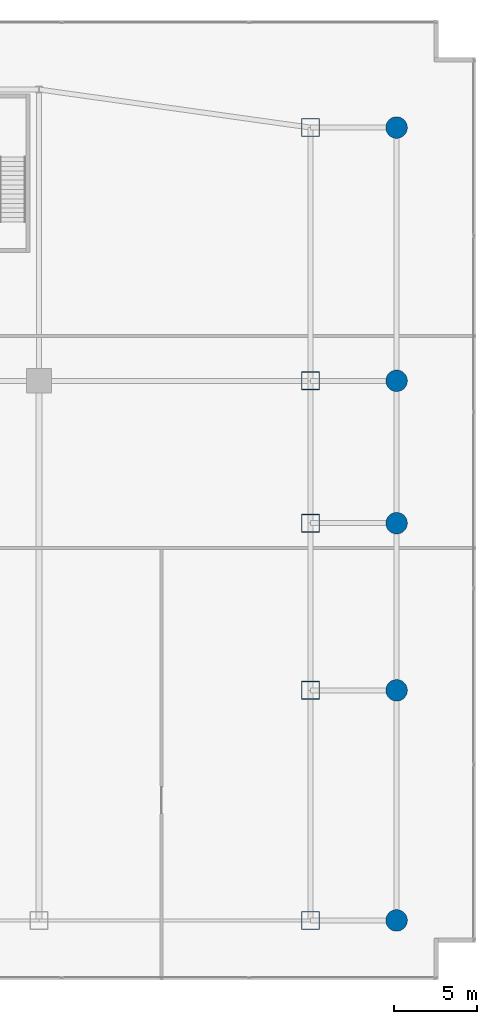
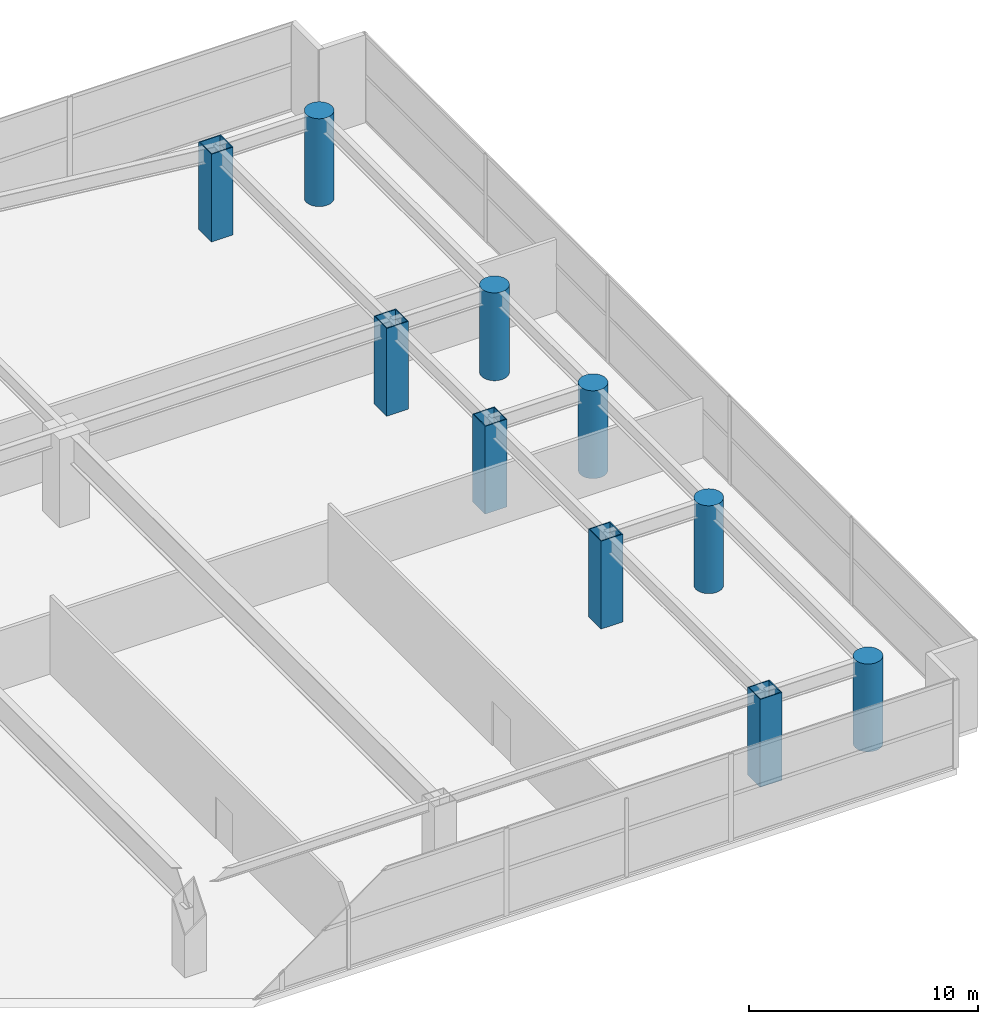
# One storey, part 3 of 35: 10 columns.
"""IFC4 building model written with IfcOpenShell, lengths in metres."""

from ifc_helpers import new_model, si_unit, direction, frame, origin, origin_2d, place, context, subcontext, project, spatial, hollow_rectangle, circle, extrude, material, material_profile, profile_set, type_object, element, save


model = new_model("IFC4")

# Units and contexts
model_context = context("Model", 3, precision=1e-05, world=origin(), true_north=direction((0.0, 1.0)))
body_context = subcontext(model_context, "Body", "Model", "MODEL_VIEW")
ifc_project = project(units=[si_unit("LENGTHUNIT", "METRE"), si_unit("AREAUNIT", "SQUARE_METRE"), si_unit("VOLUMEUNIT", "CUBIC_METRE"), si_unit("PLANEANGLEUNIT", "RADIAN"), si_unit("MASSUNIT", "GRAM", prefix="KILO")], contexts=[model_context])

# Site, building, storey
site_placement = place(None, origin())
site = spatial("IfcSite", under=ifc_project, at=site_placement, CompositionType="ELEMENT")
building_placement = place(site_placement, origin())
building = spatial("IfcBuilding", under=site, at=building_placement, Name="Calvorn Quay Hotel", CompositionType="ELEMENT")
storey_placement = place(building_placement, frame((0.0, 0.0, 12.0)))
storey = spatial("IfcBuildingStorey", under=building, at=storey_placement, Name="L02", CompositionType="ELEMENT", Elevation=12.0)

# Columns
ifc_material_1 = material(Name="Concrete C60", Category="concrete")
ifc_material_profile_1 = material_profile(ifc_material_1, circle(Radius=0.64990234375, at=origin_2d()), Name="RCD1300")
ifc_profile_set_1 = profile_set([ifc_material_profile_1], Name="Concrete C60")
column_type_1 = type_object("IfcColumnType", Name="COL-RC-D1300", PredefinedType="COLUMN", material=ifc_profile_set_1)
for number, where, z_axis, x_axis, name in (
    (1, (79.199951171875, 3.60009765625, 0.0), (0.0, 0.0, 1.0), (1.0, 0.0, 0.0), "Column C-PQ1 (L02)"),
    (2, (79.199951171875, 17.5, 0.0), (0.0, 0.0, 1.0), (1.0, 0.0, 0.0), "Column C-PQ2 (L02)"),
    (3, (79.199951171875, 27.60009765625, 0.0), (0.0, 0.0, 1.0), (1.0, 0.0, 0.0), "Column C-PQ3 (L02)"),
    (4, (79.199951171875, 36.199951171875, 0.0), (0.0, 0.0, 1.0), (1.0, 0.0, 0.0), "Column C-PQ4 (L02)"),
    (5, (79.199951171875, 51.5, 0.0), (0.0, 0.0, 1.0), (1.0, 0.0, 0.0), "Column C-PQ5 (L02)"),
):
    element("IfcColumn", number, at=place(storey_placement, frame(where, z_axis=z_axis, x_axis=x_axis)), inside=storey, type_object=column_type_1, Name=name, PredefinedType="COLUMN", context=body_context, shape_type="SweptSolid", body=[
        extrude(circle(Radius=0.64990234375, at=origin_2d()), origin(), (0.0, 0.0, 1.0), 4.679931640625),
    ])
ifc_material_2 = material(Name="Steel Q420GJC", Category="steel")
ifc_material_profile_2 = material_profile(ifc_material_2, hollow_rectangle(XDim=1.10009765625, YDim=1.10009765625, WallThickness=0.044921875, at=origin_2d()), Name="BOX1100x1100x45")
ifc_profile_set_2 = profile_set([ifc_material_profile_2], Name="Steel Q420GJC")
column_type_2 = type_object("IfcColumnType", Name="COL-STL-MEGA1", PredefinedType="COLUMN", material=ifc_profile_set_2)
for number, where, z_axis, x_axis, name in (
    (6, (74.0, 3.60009765625, 0.0), (0.0, 0.0, 1.0), (1.0, 0.0, 0.0), "Column C-PE1 (L02)"),
    (7, (74.0, 17.5, 0.0), (0.0, 0.0, 1.0), (1.0, 0.0, 0.0), "Column C-PE2 (L02)"),
    (8, (74.0, 27.60009765625, 0.0), (0.0, 0.0, 1.0), (1.0, 0.0, 0.0), "Column C-PE3 (L02)"),
    (9, (74.0, 36.199951171875, 0.0), (0.0, 0.0, 1.0), (1.0, 0.0, 0.0), "Column C-PE4 (L02)"),
    (10, (74.0, 51.5, 0.0), (0.0, 0.0, 1.0), (1.0, 0.0, 0.0), "Column C-PE5 (L02)"),
):
    element("IfcColumn", number, at=place(storey_placement, frame(where, z_axis=z_axis, x_axis=x_axis)), inside=storey, type_object=column_type_2, Name=name, PredefinedType="COLUMN", context=body_context, shape_type="SweptSolid", body=[
        extrude(hollow_rectangle(XDim=1.10009765625, YDim=1.10009765625, WallThickness=0.044921875, at=origin_2d()), origin(), (0.0, 0.0, 1.0), 4.679931640625),
    ])

save(model, "model.ifc")
